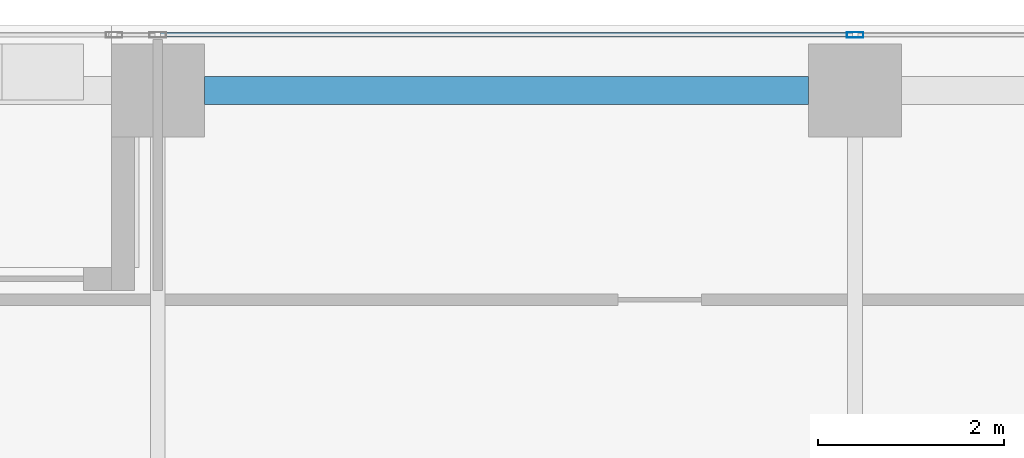
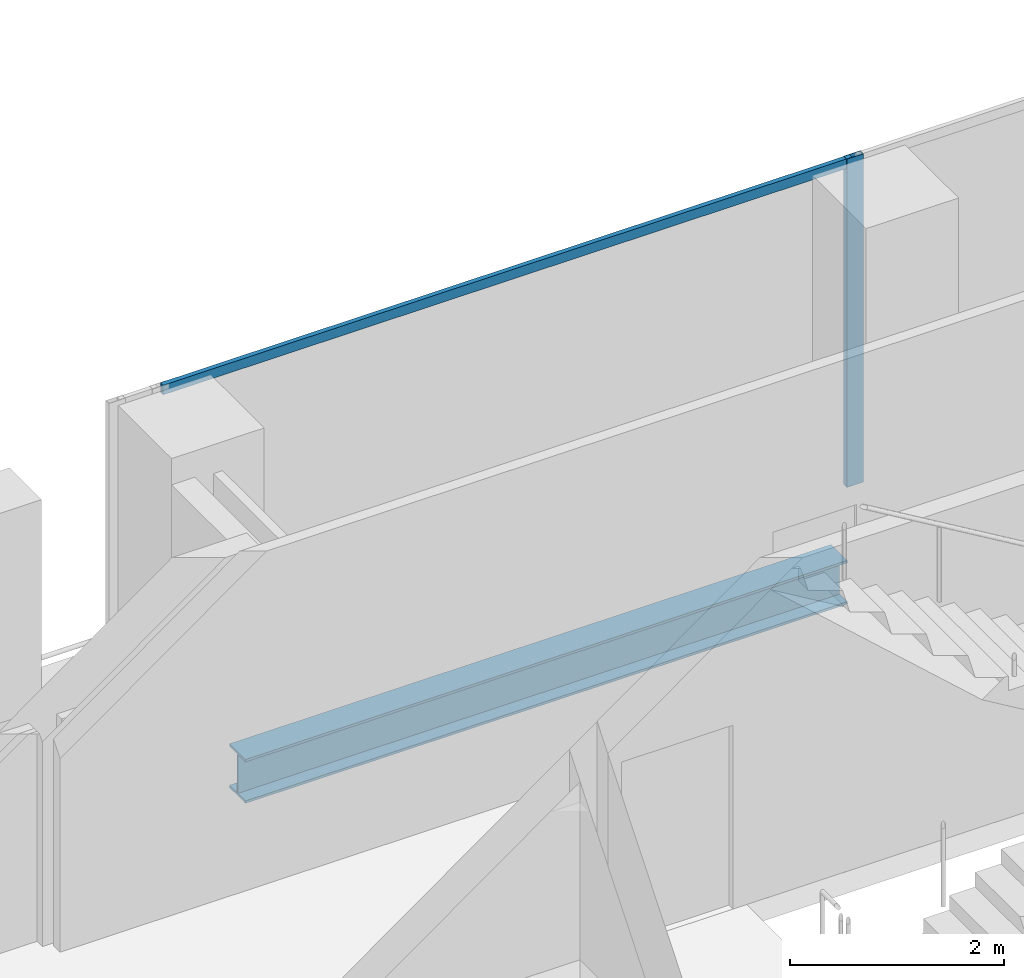
# One storey, part 22 of 40: 2 members, 1 beam, 1 element without a shape of its own.
"""IFC4 building model written with IfcOpenShell, lengths in metres."""

from ifc_helpers import new_model, si_unit, direction, frame, origin, origin_2d, place, context, subcontext, project, spatial, hollow_rectangle, i_section, extrude, source, transform, mapped, material, material_profile, profile_set, type_object, element, aggregate, save


model = new_model("IFC4")

# Units and contexts
model_context = context("Model", 3, precision=1e-05, world=origin(), true_north=direction((0.0, 1.0)))
body_context = subcontext(model_context, "Body", "Model", "MODEL_VIEW")
ifc_project = project(units=[si_unit("LENGTHUNIT", "METRE"), si_unit("AREAUNIT", "SQUARE_METRE"), si_unit("VOLUMEUNIT", "CUBIC_METRE"), si_unit("PLANEANGLEUNIT", "RADIAN"), si_unit("MASSUNIT", "GRAM", prefix="KILO")], contexts=[model_context])

# Site, building, storey
site_placement = place(None, origin())
site = spatial("IfcSite", under=ifc_project, at=site_placement, CompositionType="ELEMENT")
building_placement = place(site_placement, origin())
building = spatial("IfcBuilding", under=site, at=building_placement, Name="Khomas Fold Tower", CompositionType="ELEMENT")
storey_placement = place(building_placement, frame((0.0, 0.0, 192.699951171875)))
storey = spatial("IfcBuildingStorey", under=building, at=storey_placement, Name="L42", CompositionType="ELEMENT", Elevation=192.699951171875)

# Beam
ifc_material_1 = material(Name="Steel S355", Category="steel")
ifc_material_profile_1 = material_profile(ifc_material_1, i_section(OverallWidth=0.300048828125, OverallDepth=0.5, WebThickness=0.014404296875, FlangeThickness=0.028076171875, at=origin_2d()), Name="HE 500 B")
ifc_profile_set_1 = profile_set([ifc_material_profile_1], Name="Steel S355")
beam_type = type_object("IfcBeamType", Name="HE 500 B spandrel SB3", PredefinedType="SPANDREL", material=ifc_profile_set_1)
shared_shape_1 = source(origin(), body_context, "Body", "SweptSolid", [
    extrude(i_section(OverallWidth=0.300048828125, OverallDepth=0.5, WebThickness=0.014404296875, FlangeThickness=0.028076171875, at=origin_2d()), origin(), (0.0, 0.0, 1.0), 6.5),
])
beam_placement = place(storey_placement, frame((20.0, 50.300048828125, -0.5), z_axis=(1.0, 0.0, 0.0), x_axis=(0.0, 1.0, 0.0)))
element("IfcBeam", 1, at=beam_placement, inside=storey, type_object=beam_type, Name="SB3", PredefinedType="SPANDREL", context=body_context, shape_type="MappedRepresentation", body=[
    mapped(shared_shape_1, transform((0.0, 0.0, 0.0))),
])

# Curtain wall, members
ifc_material_2 = material(Name="Aluminium framed double glazing", Category="aluminium")
curtain_wall_type = type_object("IfcCurtainWallType", Name="SK-Unitised clear-glass wall, office floors CW2", PredefinedType="NOTDEFINED", material=ifc_material_2)
curtain_wall_placement = place(storey_placement, origin())
curtain_wall = element("IfcCurtainWall", 2, at=curtain_wall_placement, inside=storey, type_object=curtain_wall_type, Name="CW2 run L42 06-0", PredefinedType="NOTDEFINED")
ifc_material_3 = material(Name="Aluminium", Category="aluminium")
ifc_material_profile_2 = material_profile(ifc_material_3, hollow_rectangle(XDim=0.06005859375, YDim=0.179931640625, WallThickness=0.00390625, at=origin_2d()), Name="SK-Unitised clear-glass wall, office floors mullion CW2-M")
ifc_profile_set_2 = profile_set([ifc_material_profile_2], Name="Aluminium")
member_type_1 = type_object("IfcMemberType", Name="SK-Unitised clear-glass wall, office floors mullion CW2-M", PredefinedType="MULLION", material=ifc_profile_set_2)
shared_shape_2 = source(origin(), body_context, "Body", "SweptSolid", [
    extrude(hollow_rectangle(XDim=0.06005859375, YDim=0.179931640625, WallThickness=0.00390625, at=origin_2d()), origin(), (0.0, 0.0, 1.0), 3.75),
])
member_1_placement = place(storey_placement, frame((27.0, 50.89990234375, 0.0), z_axis=(0.0, 0.0, 1.0), x_axis=(0.0, -1.0, 0.0)))
member_1 = element("IfcMember", 3, at=member_1_placement, type_object=member_type_1, Name="CW2 mullion 3", PredefinedType="MULLION", context=body_context, shape_type="MappedRepresentation", body=[
    mapped(shared_shape_2, transform((0.0, 0.0, 0.0))),
])
ifc_material_4 = material(Name="Aluminium", Category="aluminium")
ifc_material_profile_3 = material_profile(ifc_material_4, hollow_rectangle(XDim=0.050048828125, YDim=0.110107421875, WallThickness=0.00390625, at=origin_2d()), Name="SK-Unitised clear-glass wall, office floors transom CW2-T")
ifc_profile_set_3 = profile_set([ifc_material_profile_3], Name="Aluminium")
member_type_2 = type_object("IfcMemberType", Name="SK-Unitised clear-glass wall, office floors transom CW2-T", PredefinedType="USERDEFINED", material=ifc_profile_set_3)
shared_shape_3 = source(origin(), body_context, "Body", "SweptSolid", [
    extrude(hollow_rectangle(XDim=0.050048828125, YDim=0.110107421875, WallThickness=0.00390625, at=origin_2d()), origin(), (0.0, 0.0, 1.0), 7.43994140625),
])
member_2_placement = place(storey_placement, frame((26.969970703125, 50.89990234375, 3.695068359375), z_axis=(-1.0, 0.0, 0.0), x_axis=(0.0, -1.0, 0.0)))
member_2 = element("IfcMember", 4, at=member_2_placement, type_object=member_type_2, Name="CW2 transom 3", ObjectType="TRANSOM", PredefinedType="USERDEFINED", context=body_context, shape_type="MappedRepresentation", body=[
    mapped(shared_shape_3, transform((0.0, 0.0, 0.0))),
])
aggregate(curtain_wall, [member_1, member_2])

save(model, "model.ifc")
